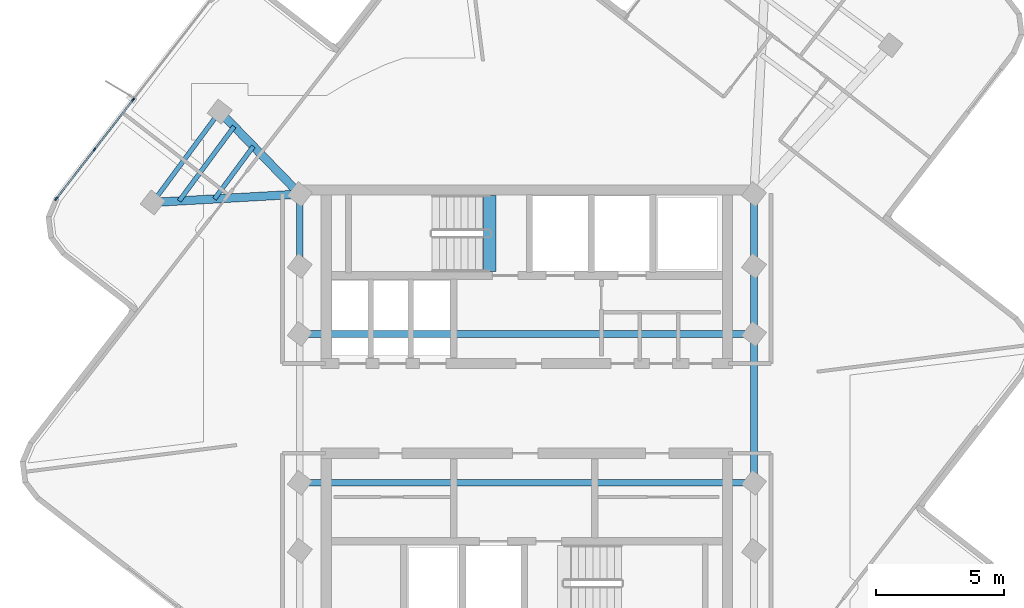
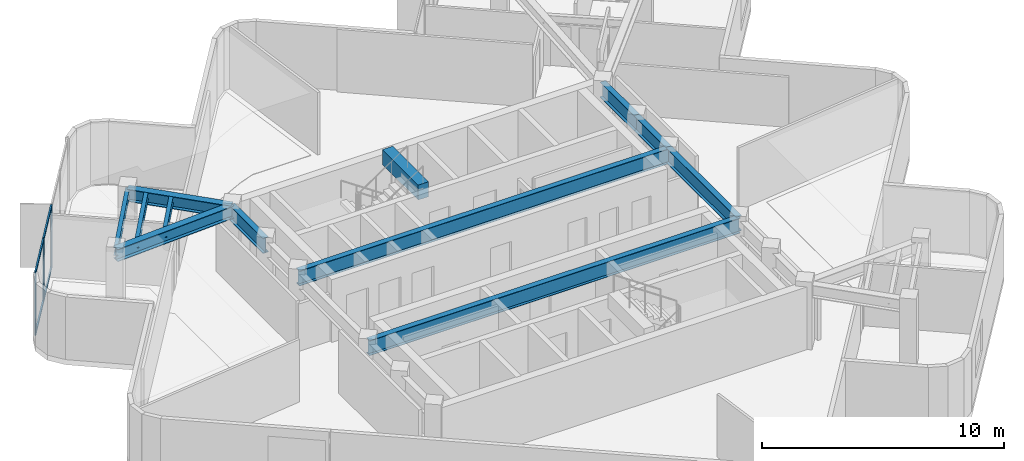
# One storey, part 2 of 10: 12 beams, 7 members, 1 element without a shape of its own.
"""IFC4 building model written with IfcOpenShell, lengths in metres."""

from ifc_helpers import new_model, si_unit, direction, frame, origin, origin_2d, place, context, subcontext, project, spatial, rectangle, i_section, extrude, material, layer, layer_set, material_profile, profile_set, type_object, element, aggregate, save


model = new_model("IFC4")

# Units and contexts
model_context = context("Model", 3, precision=1e-05, world=origin(), true_north=direction((0.0, 1.0)))
body_context = subcontext(model_context, "Body", "Model", "MODEL_VIEW")
ifc_project = project(units=[si_unit("LENGTHUNIT", "METRE"), si_unit("AREAUNIT", "SQUARE_METRE"), si_unit("VOLUMEUNIT", "CUBIC_METRE"), si_unit("PLANEANGLEUNIT", "RADIAN"), si_unit("MASSUNIT", "GRAM", prefix="KILO")], contexts=[model_context])

# Site, building, storey
site_placement = place(None, origin())
site = spatial("IfcSite", under=ifc_project, at=site_placement, CompositionType="ELEMENT")
building_placement = place(site_placement, origin())
building = spatial("IfcBuilding", under=site, at=building_placement, Name="Solmarez Civic Tower", CompositionType="ELEMENT")
storey_placement = place(building_placement, frame((0.0, 0.0, 261.179931640625)))
storey = spatial("IfcBuildingStorey", under=building, at=storey_placement, Name="L70", CompositionType="ELEMENT", Elevation=261.179931640625)

# Beams
ifc_material_1 = material(Name="Steel S355", Category="steel")
ifc_material_profile_1 = material_profile(ifc_material_1, i_section(OverallWidth=0.178955078125, OverallDepth=0.409912109375, WebThickness=0.0087890625, FlangeThickness=0.014404296875, at=origin_2d()), Name="W16X45")
ifc_profile_set_1 = profile_set([ifc_material_profile_1], Name="Steel S355")
beam_type_1 = type_object("IfcBeamType", Name="BM-JS-W16X45", PredefinedType="JOIST", material=ifc_profile_set_1)
beam_1_placement = place(storey_placement, frame((-11.970947265625, 11.56591796875, 2.955078125), z_axis=(-0.593730834471, -0.804663716219, 0.0), x_axis=(0.804663716219, -0.593730834471, 0.0)))
element("IfcBeam", 1, at=beam_1_placement, inside=storey, type_object=beam_type_1, Name="L70 Secondary Floor Joist BM-L70-NA-T1", PredefinedType="JOIST", context=body_context, shape_type="SweptSolid", body=[
    extrude(i_section(OverallWidth=0.178955078125, OverallDepth=0.409912109375, WebThickness=0.0087890625, FlangeThickness=0.014404296875, at=origin_2d()), origin(), (0.0, 0.0, 1.0), 4.3994140625),
])
beam_2_placement = place(storey_placement, frame((-10.659912109375, 10.215087890625, 2.955078125), z_axis=(-0.593812477683, -0.804603468392, 0.0), x_axis=(0.804603468392, -0.593812477683, 0.0)))
element("IfcBeam", 2, at=beam_2_placement, inside=storey, type_object=beam_type_1, Name="L70 Secondary Floor Joist JS-L70-NA-M11", PredefinedType="JOIST", context=body_context, shape_type="SweptSolid", body=[
    extrude(i_section(OverallWidth=0.178955078125, OverallDepth=0.409912109375, WebThickness=0.0087890625, FlangeThickness=0.014404296875, at=origin_2d()), origin(), (0.0, 0.0, 1.0), 2.551513671875),
])
beam_3_placement = place(storey_placement, frame((-11.408935546875, 10.987060546875, 2.955078125), z_axis=(-0.593734433343, -0.804661060735, 0.0), x_axis=(0.804661060735, -0.593734433343, 0.0)))
element("IfcBeam", 3, at=beam_3_placement, inside=storey, type_object=beam_type_1, Name="L70 Secondary Floor Joist JS-L70-NA-M12", PredefinedType="JOIST", context=body_context, shape_type="SweptSolid", body=[
    extrude(i_section(OverallWidth=0.178955078125, OverallDepth=0.409912109375, WebThickness=0.0087890625, FlangeThickness=0.014404296875, at=origin_2d()), origin(), (0.0, 0.0, 1.0), 3.60791015625),
])
ifc_material_2 = material(Name="Concrete C50/60", Category="concrete")
ifc_material_profile_2 = material_profile(ifc_material_2, rectangle(XDim=0.5, YDim=0.75, at=origin_2d()), Name="RC500X750")
ifc_profile_set_2 = profile_set([ifc_material_profile_2], Name="Concrete C50/60")
beam_type_2 = type_object("IfcBeamType", Name="BM-PR-RC500X750", PredefinedType="BEAM", material=ifc_profile_set_2)
beam_4_placement = place(storey_placement, frame((-1.449951171875, 5.340087890625, 3.052978515625), z_axis=(0.0, 1.0, 0.0), x_axis=(-1.0, 0.0, 0.0)))
element("IfcBeam", 4, at=beam_4_placement, inside=storey, type_object=beam_type_2, Name="L70 North Stair Threshold Beam", PredefinedType="BEAM", context=body_context, shape_type="SweptSolid", body=[
    extrude(rectangle(XDim=0.5, YDim=0.75, at=origin_2d()), origin(), (0.0, 0.0, 1.0), 2.9599609375),
])
ifc_material_profile_3 = material_profile(ifc_material_1, i_section(OverallWidth=0.327880859375, OverallDepth=0.6220703125, WebThickness=0.015380859375, FlangeThickness=0.0244140625, at=origin_2d()), Name="W24X131")
ifc_profile_set_3 = profile_set([ifc_material_profile_3], Name="Steel S355")
beam_type_3 = type_object("IfcBeamType", Name="BM-PR-W24X131", PredefinedType="BEAM", material=ifc_profile_set_3)
beam_5_placement = place(storey_placement, frame((-8.85009765625, 8.35009765625, 2.84912109375), z_axis=(-0.696430820305, 0.717623935309, 0.0), x_axis=(-0.717623935309, -0.696430820305, 0.0)))
element("IfcBeam", 5, at=beam_5_placement, inside=storey, type_object=beam_type_3, Name="L70 Primary Floor Beam BM-L70-NA-R1A", PredefinedType="BEAM", context=body_context, shape_type="SweptSolid", body=[
    extrude(i_section(OverallWidth=0.327880859375, OverallDepth=0.6220703125, WebThickness=0.015380859375, FlangeThickness=0.0244140625, at=origin_2d()), origin(), (0.0, 0.0, 1.0), 4.481201171875),
])
beam_6_placement = place(storey_placement, frame((-8.85009765625, 8.35009765625, 2.84912109375), z_axis=(-0.998404650863, -0.056463732917, 0.0), x_axis=(0.056463732917, -0.998404650863, 0.0)))
element("IfcBeam", 6, at=beam_6_placement, inside=storey, type_object=beam_type_3, Name="L70 Primary Floor Beam BM-L70-NA-R1B", PredefinedType="BEAM", context=body_context, shape_type="SweptSolid", body=[
    extrude(i_section(OverallWidth=0.327880859375, OverallDepth=0.6220703125, WebThickness=0.015380859375, FlangeThickness=0.0244140625, at=origin_2d()), origin(), (0.0, 0.0, 1.0), 5.7421875),
])
ifc_material_profile_4 = material_profile(ifc_material_1, i_section(OverallWidth=0.26708984375, OverallDepth=0.761962890625, WebThickness=0.014404296875, FlangeThickness=0.021484375, at=origin_2d()), Name="W30X116")
ifc_profile_set_4 = profile_set([ifc_material_profile_4], Name="Steel S355")
beam_type_4 = type_object("IfcBeamType", Name="BM-PR-W30X116", PredefinedType="BEAM", material=ifc_profile_set_4)
beam_7_placement = place(storey_placement, frame((-8.85009765625, 5.550048828125, 2.779052734375), z_axis=(0.0, 1.0, 0.0), x_axis=(-1.0, 0.0, 0.0)))
element("IfcBeam", 7, at=beam_7_placement, inside=storey, type_object=beam_type_4, Name="L70 Primary Floor Beam BM-L70-HC4-HC9", PredefinedType="BEAM", context=body_context, shape_type="SweptSolid", body=[
    extrude(i_section(OverallWidth=0.26708984375, OverallDepth=0.761962890625, WebThickness=0.014404296875, FlangeThickness=0.021484375, at=origin_2d()), origin(), (0.0, 0.0, 1.0), 2.800048828125),
])
beam_8_placement = place(storey_placement, frame((8.85009765625, -2.89990234375, 2.779052734375), z_axis=(0.0, 1.0, 0.0), x_axis=(-1.0, 0.0, 0.0)))
element("IfcBeam", 8, at=beam_8_placement, inside=storey, type_object=beam_type_4, Name="L70 Primary Floor Beam BM-L70-HC6-HC7", PredefinedType="BEAM", context=body_context, shape_type="SweptSolid", body=[
    extrude(i_section(OverallWidth=0.26708984375, OverallDepth=0.761962890625, WebThickness=0.014404296875, FlangeThickness=0.021484375, at=origin_2d()), origin(), (0.0, 0.0, 1.0), 5.7998046875),
])
beam_9_placement = place(storey_placement, frame((8.85009765625, 2.89990234375, 2.779052734375), z_axis=(0.0, 1.0, 0.0), x_axis=(-1.0, 0.0, 0.0)))
element("IfcBeam", 9, at=beam_9_placement, inside=storey, type_object=beam_type_4, Name="L70 Primary Floor Beam BM-L70-HC7-HC8", PredefinedType="BEAM", context=body_context, shape_type="SweptSolid", body=[
    extrude(i_section(OverallWidth=0.26708984375, OverallDepth=0.761962890625, WebThickness=0.014404296875, FlangeThickness=0.021484375, at=origin_2d()), origin(), (0.0, 0.0, 1.0), 2.650146484375),
])
beam_10_placement = place(storey_placement, frame((8.85009765625, 5.550048828125, 2.779052734375), z_axis=(0.0, 1.0, 0.0), x_axis=(-1.0, 0.0, 0.0)))
element("IfcBeam", 10, at=beam_10_placement, inside=storey, type_object=beam_type_4, Name="L70 Primary Floor Beam BM-L70-HC8-HC11", PredefinedType="BEAM", context=body_context, shape_type="SweptSolid", body=[
    extrude(i_section(OverallWidth=0.26708984375, OverallDepth=0.761962890625, WebThickness=0.014404296875, FlangeThickness=0.021484375, at=origin_2d()), origin(), (0.0, 0.0, 1.0), 2.800048828125),
])
for number, where, z_axis, x_axis, name in (
    (11, (-8.85009765625, -2.89990234375, 2.779052734375), (1.0, 0.0, 0.0), (0.0, 1.0, 0.0), "L70 Primary Floor Beam BM-L70-HC2-HC6"),
    (12, (-8.85009765625, 2.89990234375, 2.779052734375), (1.0, 0.0, 0.0), (0.0, 1.0, 0.0), "L70 Primary Floor Beam BM-L70-HC3-HC7"),
):
    element("IfcBeam", number, at=place(storey_placement, frame(where, z_axis=z_axis, x_axis=x_axis)), inside=storey, type_object=beam_type_4, Name=name, PredefinedType="BEAM", context=body_context, shape_type="SweptSolid", body=[
        extrude(i_section(OverallWidth=0.26708984375, OverallDepth=0.761962890625, WebThickness=0.014404296875, FlangeThickness=0.021484375, at=origin_2d()), origin(), (0.0, 0.0, 1.0), 17.7001953125),
    ])

# Curtain wall, members
ifc_material_3 = material(Name="Bronze Anodised Aluminium EN AW-6063 T6", Category="aluminium")
ifc_layer = layer(ifc_material_3, 0.1650390625)
ifc_layer_set = layer_set([ifc_layer], Name="Bronze Anodised Aluminium EN AW-6063 T6")
curtain_wall_type = type_object("IfcCurtainWallType", Name="CW-SYS-4", PredefinedType="NOTDEFINED", material=ifc_layer_set)
curtain_wall_placement = place(storey_placement, origin())
curtain_wall = element("IfcCurtainWall", 13, at=curtain_wall_placement, inside=storey, type_object=curtain_wall_type, Name="L70 Stick-Built Curtain Wall 1", PredefinedType="NOTDEFINED")
ifc_material_profile_5 = material_profile(ifc_material_3, rectangle(XDim=0.06005859375, YDim=0.14990234375, at=origin_2d()), Name="CWM-60X150")
ifc_profile_set_5 = profile_set([ifc_material_profile_5], Name="Bronze Anodised Aluminium EN AW-6063 T6")
member_type_1 = type_object("IfcMemberType", Name="CWM-TYPE-4", PredefinedType="MULLION", material=ifc_profile_set_5)
member_1_placement = place(storey_placement, frame((-18.338623046875, 8.172607421875, 0.0), z_axis=(0.0, 0.0, 1.0), x_axis=(-0.790233885485, 0.612805357542, 0.0)))
member_1 = element("IfcMember", 14, at=member_1_placement, type_object=member_type_1, Name="CWS4 mullion 1", PredefinedType="MULLION", context=body_context, shape_type="SweptSolid", body=[
    extrude(rectangle(XDim=0.06005859375, YDim=0.14990234375, at=origin_2d()), origin(), (0.0, 0.0, 1.0), 3.16015625),
])
member_2_placement = place(storey_placement, frame((-16.85205078125, 10.08984375, 0.0), z_axis=(0.0, 0.0, 1.0), x_axis=(-0.790233885485, 0.612805357542, 0.0)))
member_2 = element("IfcMember", 15, at=member_2_placement, type_object=member_type_1, Name="CWS4 mullion 2", PredefinedType="MULLION", context=body_context, shape_type="SweptSolid", body=[
    extrude(rectangle(XDim=0.06005859375, YDim=0.14990234375, at=origin_2d()), origin(), (0.0, 0.0, 1.0), 3.16015625),
])
member_3_placement = place(storey_placement, frame((-15.346923828125, 12.030517578125, 0.0), z_axis=(0.0, 0.0, 1.0), x_axis=(-0.790233885485, 0.612805357542, 0.0)))
member_3 = element("IfcMember", 16, at=member_3_placement, type_object=member_type_1, Name="CWS4 mullion 3", PredefinedType="MULLION", context=body_context, shape_type="SweptSolid", body=[
    extrude(rectangle(XDim=0.06005859375, YDim=0.14990234375, at=origin_2d()), origin(), (0.0, 0.0, 1.0), 3.16015625),
])
ifc_material_profile_6 = material_profile(ifc_material_3, rectangle(XDim=0.070068359375, YDim=0.139892578125, at=origin_2d()), Name="CWT-70X140")
ifc_profile_set_6 = profile_set([ifc_material_profile_6], Name="Bronze Anodised Aluminium EN AW-6063 T6")
member_type_2 = type_object("IfcMemberType", Name="CWT-TYPE-1", PredefinedType="USERDEFINED", material=ifc_profile_set_6)
member_4_placement = place(storey_placement, frame((-18.3203125, 8.196533203125, 0.03515625), z_axis=(0.612832724308, 0.790212662527, 0.0), x_axis=(-0.790212662527, 0.612832724308, 0.0)))
member_4 = element("IfcMember", 17, at=member_4_placement, type_object=member_type_2, Name="CWS4 transom 1.1", ObjectType="TRANSOM", PredefinedType="USERDEFINED", context=body_context, shape_type="SweptSolid", body=[
    extrude(rectangle(XDim=0.070068359375, YDim=0.139892578125, at=origin_2d()), origin(), (0.0, 0.0, 1.0), 2.365966796875),
])
member_5_placement = place(storey_placement, frame((-18.3203125, 8.196533203125, 3.125), z_axis=(0.612832724308, 0.790212662527, 0.0), x_axis=(-0.790212662527, 0.612832724308, 0.0)))
member_5 = element("IfcMember", 18, at=member_5_placement, type_object=member_type_2, Name="CWS4 transom 1.2", ObjectType="TRANSOM", PredefinedType="USERDEFINED", context=body_context, shape_type="SweptSolid", body=[
    extrude(rectangle(XDim=0.070068359375, YDim=0.139892578125, at=origin_2d()), origin(), (0.0, 0.0, 1.0), 2.365966796875),
])
member_6_placement = place(storey_placement, frame((-16.83349609375, 10.113525390625, 0.03515625), z_axis=(0.612754688035, 0.790273175738, 0.0), x_axis=(-0.790273175738, 0.612754688035, 0.0)))
member_6 = element("IfcMember", 19, at=member_6_placement, type_object=member_type_2, Name="CWS4 transom 2.1", ObjectType="TRANSOM", PredefinedType="USERDEFINED", context=body_context, shape_type="SweptSolid", body=[
    extrude(rectangle(XDim=0.070068359375, YDim=0.139892578125, at=origin_2d()), origin(), (0.0, 0.0, 1.0), 2.395751953125),
])
member_7_placement = place(storey_placement, frame((-16.83349609375, 10.113525390625, 3.125), z_axis=(0.612754688035, 0.790273175738, 0.0), x_axis=(-0.790273175738, 0.612754688035, 0.0)))
member_7 = element("IfcMember", 20, at=member_7_placement, type_object=member_type_2, Name="CWS4 transom 2.2", ObjectType="TRANSOM", PredefinedType="USERDEFINED", context=body_context, shape_type="SweptSolid", body=[
    extrude(rectangle(XDim=0.070068359375, YDim=0.139892578125, at=origin_2d()), origin(), (0.0, 0.0, 1.0), 2.395751953125),
])
aggregate(curtain_wall, [member_1, member_2, member_3, member_4, member_5, member_6, member_7])

save(model, "model.ifc")
